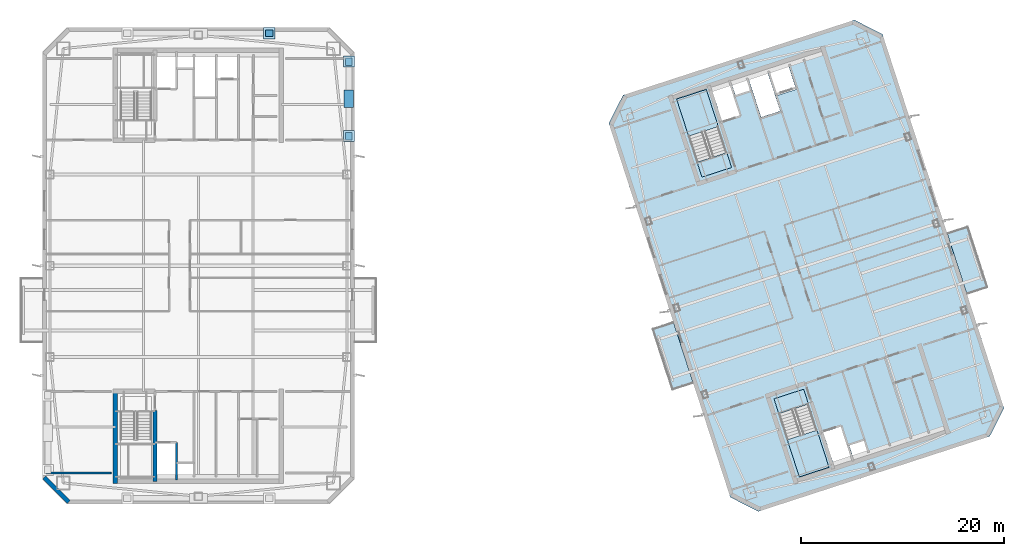
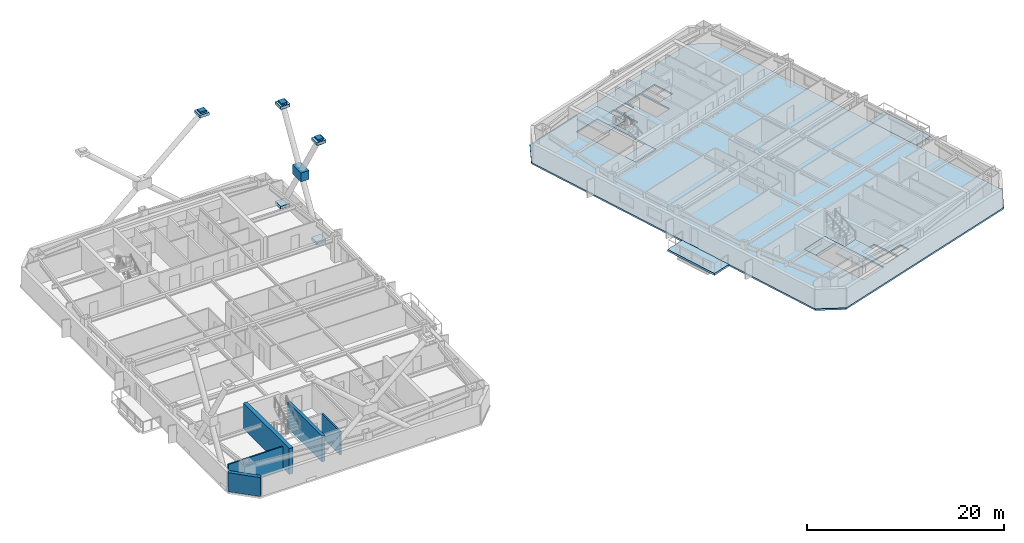
# One storey, part 5 of 18: 9 plates, 7 slabs, 5 walls, 2 elements without a shape of their own.
"""IFC4 building model written with IfcOpenShell, lengths in metres."""

from ifc_helpers import new_model, si_unit, direction, frame, frame_2d, origin, origin_2d, place, context, subcontext, project, spatial, polyline, rectangle, outline, extrude, material, layer, layer_set, type_object, element, aggregate, save


model = new_model("IFC4")

# Units and contexts
model_context = context("Model", 3, precision=1e-05, world=origin(), true_north=direction((0.0, 1.0)))
body_context = subcontext(model_context, "Body", "Model", "MODEL_VIEW")
ifc_project = project(units=[si_unit("LENGTHUNIT", "METRE"), si_unit("AREAUNIT", "SQUARE_METRE"), si_unit("VOLUMEUNIT", "CUBIC_METRE"), si_unit("PLANEANGLEUNIT", "RADIAN"), si_unit("MASSUNIT", "GRAM", prefix="KILO")], contexts=[model_context])

# Site, building, storey
site_placement = place(None, origin())
site = spatial("IfcSite", under=ifc_project, at=site_placement, CompositionType="ELEMENT")
building_placement = place(site_placement, origin())
building = spatial("IfcBuilding", under=site, at=building_placement, Name="Qiaolan Cultural Towers", CompositionType="ELEMENT")
storey_placement = place(building_placement, frame((0.0, 0.0, 237.60009765625)))
storey = spatial("IfcBuildingStorey", under=building, at=storey_placement, Name="L64", CompositionType="ELEMENT", Elevation=237.60009765625)

# Plates
ifc_material_1 = material(Name="Steel Q355B", Category="steel")
ifc_layer_1 = layer(ifc_material_1, 0.035888671875)
ifc_layer_set_1 = layer_set([ifc_layer_1], Name="Steel Q355B")
plate_type_1 = type_object("IfcPlateType", Name="PL-CONN-36", PredefinedType="USERDEFINED", material=ifc_layer_set_1)
for number, where, z_axis, x_axis, name in (
    (1, (44.85009765625, 54.14990234375, 12.1298828125), (0.0, 0.0, 1.0), (0.0, 1.0, 0.0), "L64 Brace End Connection Gusset Plate GP-02-0382"),
    (2, (44.85009765625, 46.800048828125, 12.1298828125), (0.0, 0.0, 1.0), (0.0, 1.0, 0.0), "L64 Brace End Connection Gusset Plate GP-02-0383"),
    (3, (37.0, 56.949951171875, 12.1298828125), (0.0, 0.0, 1.0), (1.0, 0.0, 0.0), "L64 Brace End Connection Gusset Plate GP-02-0386"),
):
    element("IfcPlate", number, at=place(storey_placement, frame(where, z_axis=z_axis, x_axis=x_axis)), inside=storey, type_object=plate_type_1, Name=name, ObjectType="GUSSET_PLATE", PredefinedType="USERDEFINED", context=body_context, shape_type="SweptSolid", body=[
        extrude(rectangle(XDim=0.739990234375, YDim=0.6201171875, at=origin_2d()), origin(), (0.0, 0.0, 1.0), 0.739990234375),
    ])
ifc_material_2 = material(Name="Steel Q355B", Category="steel")
ifc_layer_2 = layer(ifc_material_2, 0.030029296875)
ifc_layer_set_2 = layer_set([ifc_layer_2], Name="Steel Q355B")
plate_type_2 = type_object("IfcPlateType", Name="PL-ENDCAP-30", PredefinedType="USERDEFINED", material=ifc_layer_set_2)
for number, where, z_axis, x_axis, name in (
    (4, (44.85009765625, 46.800048828125, -0.025146484375), (0.0, 0.0, 1.0), (0.0, 1.0, 0.0), "Hollow Brace End Seal Cap Plate CP-01"),
    (5, (44.85009765625, 54.14990234375, -0.025146484375), (0.0, 0.0, 1.0), (0.0, 1.0, 0.0), "Hollow Brace End Seal Cap Plate CP-01"),
    (6, (44.85009765625, 46.800048828125, 12.324951171875), (0.0, 0.0, 1.0), (0.0, 1.0, 0.0), "Hollow Brace End Seal Cap Plate CP-01"),
    (7, (44.85009765625, 54.14990234375, 12.324951171875), (0.0, 0.0, 1.0), (0.0, 1.0, 0.0), "Hollow Brace End Seal Cap Plate CP-01"),
    (8, (37.0, 56.949951171875, 12.324951171875), (0.0, 0.0, 1.0), (1.0, 0.0, 0.0), "Hollow Brace End Seal Cap Plate CP-01"),
):
    element("IfcPlate", number, at=place(storey_placement, frame(where, z_axis=z_axis, x_axis=x_axis)), inside=storey, type_object=plate_type_2, Name=name, ObjectType="BASE_PLATE", PredefinedType="USERDEFINED", context=body_context, shape_type="SweptSolid", body=[
        extrude(rectangle(XDim=1.10009765625, YDim=1.10009765625, at=origin_2d()), origin(), (0.0, 0.0, 1.0), 0.35009765625),
    ])
ifc_material_3 = material(Name="Steel Q390GJB", Category="steel")
ifc_layer_3 = layer(ifc_material_3, 0.0458984375)
ifc_layer_set_3 = layer_set([ifc_layer_3], Name="Steel Q390GJB")
plate_type_3 = type_object("IfcPlateType", Name="PL-NODE-ND11", PredefinedType="USERDEFINED", material=ifc_layer_set_3)
plate_placement = place(storey_placement, frame((44.85009765625, 50.47509765625, 5.77490234375), z_axis=(0.0, 0.0, 1.0), x_axis=(0.0, 1.0, 0.0)))
element("IfcPlate", 9, at=plate_placement, inside=storey, type_object=plate_type_3, Name="Perimeter Frame Gusset Node Assembly ND-11", ObjectType="GUSSET_PLATE", PredefinedType="USERDEFINED", context=body_context, shape_type="SweptSolid", body=[
    extrude(rectangle(XDim=1.760009765625, YDim=0.9599609375, at=origin_2d()), origin(), (0.0, 0.0, 1.0), 1.10009765625),
])

# Slabs
ifc_material_4 = material(Name="Concrete C45", Category="concrete")
ifc_layer_4 = layer(ifc_material_4, 0.239990234375)
ifc_layer_set_4 = layer_set([ifc_layer_4], Name="Concrete C45")
slab_type_1 = type_object("IfcSlabType", Name="SL-BAL-240", PredefinedType="FLOOR", material=ifc_layer_set_4)
slab_1_placement = place(storey_placement, frame((0.0, 0.0, -0.239990234375)))
element("IfcSlab", 10, at=slab_1_placement, inside=storey, type_object=slab_type_1, Name="L64 T2 Planted Tree Balcony W", PredefinedType="FLOOR", context=body_context, shape_type="SweptSolid", body=[
    extrude(outline(polyline([(76.751220703125, 21.7041015625), (78.843505859375, 22.384033203125), (76.86572265625, 28.470703125), (74.7734375, 27.790771484375), (76.751220703125, 21.7041015625)])), origin(), (0.0, 0.0, 1.0), 0.239990234375),
])
slab_2_placement = place(storey_placement, frame((0.0, 0.0, -0.239990234375)))
element("IfcSlab", 11, at=slab_2_placement, inside=storey, type_object=slab_type_1, Name="L64 T2 Planted Tree Balcony E", PredefinedType="FLOOR", context=body_context, shape_type="SweptSolid", body=[
    extrude(outline(polyline([(105.853515625, 31.159912109375), (107.94580078125, 31.83984375), (105.96826171875, 37.926513671875), (103.875732421875, 37.246826171875), (105.853515625, 31.159912109375)])), origin(), (0.0, 0.0, 1.0), 0.239990234375),
])
ifc_material_5 = material(Name="Concrete C45", Category="concrete")
ifc_layer_5 = layer(ifc_material_5, 0.199951171875)
ifc_layer_set_5 = layer_set([ifc_layer_5], Name="Concrete C45")
slab_type_2 = type_object("IfcSlabType", Name="SL-HI-200", PredefinedType="FLOOR", material=ifc_layer_set_5)
slab_3_placement = place(storey_placement, frame((0.0, 0.0, -0.2001953125)))
element("IfcSlab", 12, at=slab_3_placement, inside=storey, type_object=slab_type_2, Name="L64 East Tower Floor Slab", PredefinedType="FLOOR", context=body_context, shape_type="SweptSolid", body=[
    extrude(outline(polyline([(85.26220703125, 9.7490234375), (108.08740234375, 17.165283203125), (109.5, 19.9375), (97.510009765625, 56.838623046875), (94.73779296875, 58.2509765625), (71.91259765625, 50.834716796875), (70.5, 48.0625), (82.489990234375, 11.161376953125), (85.26220703125, 9.7490234375)]), holes=[polyline([(86.80126953125, 20.868896484375), (89.30419921875, 13.165283203125), (92.2333984375, 14.116943359375), (89.73046875, 21.820556640625), (86.80126953125, 20.868896484375)]), polyline([(82.623046875, 43.69482421875), (80.1201171875, 51.3984375), (77.190673828125, 50.44677734375), (79.69384765625, 42.7431640625), (82.623046875, 43.69482421875)]), polyline([(92.666259765625, 14.468017578125), (94.42578125, 15.03955078125), (93.42138671875, 18.130615234375), (91.661865234375, 17.558837890625), (92.666259765625, 14.468017578125)]), polyline([(94.5908203125, 15.14599609375), (96.027099609375, 15.612548828125), (95.66552734375, 16.725341796875), (94.2294921875, 16.258544921875), (94.5908203125, 15.14599609375)]), polyline([(81.6806640625, 48.278076171875), (83.440185546875, 48.849609375), (82.435791015625, 51.940673828125), (80.67626953125, 51.368896484375), (81.6806640625, 48.278076171875)]), polyline([(82.993408203125, 50.839111328125), (84.4296875, 51.3056640625), (84.068115234375, 52.41845703125), (82.632080078125, 51.95166015625), (82.993408203125, 50.839111328125)]), polyline([(87.1455078125, 50.810791015625), (88.990478515625, 51.41015625), (88.22412109375, 53.768798828125), (86.379150390625, 53.169189453125), (87.1455078125, 50.810791015625)]), polyline([(85.5322265625, 48.65673828125), (87.415283203125, 49.2685546875), (86.169921875, 53.101318359375), (84.286865234375, 52.489501953125), (85.5322265625, 48.65673828125)])]), origin(), (0.0, 0.0, 1.0), 0.2001953125),
])

# Stair, slab
ifc_material_6 = material(Name="Concrete C45", Category="concrete")
stair_type = type_object("IfcStairType", Name="STR-CORE-1500", PredefinedType="HALF_TURN_STAIR", material=ifc_material_6)
stair_1_placement = place(storey_placement, origin())
stair_1 = element("IfcStair", 13, at=stair_1_placement, inside=storey, type_object=stair_type, Name="L64 Smokeproof Exit Stair ST-E1", PredefinedType="HALF_TURN_STAIR")
ifc_material_7 = material(Name="Concrete C45", Category="concrete")
ifc_layer_6 = layer(ifc_material_7, 0.199951171875)
ifc_layer_set_6 = layer_set([ifc_layer_6], Name="Concrete C45")
slab_type_3 = type_object("IfcSlabType", Name="SL-STAIR-LAND", PredefinedType="LANDING", material=ifc_layer_set_6)
slab_4_placement = place(storey_placement, frame((0.0, 0.0, 1.39990234375)))
slab_4 = element("IfcSlab", 14, at=slab_4_placement, type_object=slab_type_3, Name="ST-E1 landing 1", PredefinedType="LANDING", context=body_context, shape_type="SweptSolid", body=[
    extrude(outline(polyline([(88.114013671875, 16.828125), (89.30419921875, 13.165283203125), (92.2333984375, 14.116943359375), (91.04345703125, 17.77978515625), (88.114013671875, 16.828125)])), origin(), (0.0, 0.0, 1.0), 0.199951171875),
])
aggregate(stair_1, [slab_4])

stair_2_placement = place(storey_placement, origin())
stair_2 = element("IfcStair", 15, at=stair_2_placement, inside=storey, type_object=stair_type, Name="L64 Smokeproof Exit Stair ST-E2", PredefinedType="HALF_TURN_STAIR")
slab_5_placement = place(storey_placement, frame((0.0, 0.0, 1.39990234375)))
slab_5 = element("IfcSlab", 16, at=slab_5_placement, type_object=slab_type_3, Name="ST-E2 landing 1", PredefinedType="LANDING", context=body_context, shape_type="SweptSolid", body=[
    extrude(outline(polyline([(81.31005859375, 47.735595703125), (80.1201171875, 51.3984375), (77.190673828125, 50.44677734375), (78.380859375, 46.783935546875), (81.31005859375, 47.735595703125)])), origin(), (0.0, 0.0, 1.0), 0.199951171875),
])
aggregate(stair_2, [slab_5])

# Slabs
ifc_material_8 = material(Name="Concrete C40", Category="concrete")
ifc_layer_7 = layer(ifc_material_8, 0.360107421875)
ifc_layer_set_7 = layer_set([ifc_layer_7], Name="Concrete C40")
slab_type_4 = type_object("IfcSlabType", Name="SL-STFLR-360", PredefinedType="LANDING", material=ifc_layer_set_7)
slab_6_placement = place(storey_placement, frame((0.0, 0.0, -0.360107421875)))
element("IfcSlab", 17, at=slab_6_placement, inside=storey, type_object=slab_type_4, Name="L64 ST-E1 Stair Floor Landing Slab", PredefinedType="LANDING", context=body_context, shape_type="SweptSolid", body=[
    extrude(outline(polyline([(86.8037109375, 20.867431640625), (87.282470703125, 19.39404296875), (90.2080078125, 20.3447265625), (89.729248046875, 21.818115234375), (86.8037109375, 20.867431640625)])), origin(), (0.0, 0.0, 1.0), 0.360107421875),
])
slab_7_placement = place(storey_placement, frame((0.0, 0.0, -0.360107421875)))
element("IfcSlab", 18, at=slab_7_placement, inside=storey, type_object=slab_type_4, Name="L64 ST-E2 Stair Floor Landing Slab", PredefinedType="LANDING", context=body_context, shape_type="SweptSolid", body=[
    extrude(outline(polyline([(82.62060546875, 43.6962890625), (82.141845703125, 45.169677734375), (79.21630859375, 44.21923828125), (79.695068359375, 42.74560546875), (82.62060546875, 43.6962890625)])), origin(), (0.0, 0.0, 1.0), 0.360107421875),
])

# Walls
ifc_material_9 = material(Name="Concrete C50", Category="concrete")
ifc_layer_8 = layer(ifc_material_9, 0.35009765625)
ifc_layer_set_8 = layer_set([ifc_layer_8], Name="Concrete C50")
wall_type_1 = type_object("IfcWallType", Name="WL-CORE-350", PredefinedType="SHEAR", material=ifc_layer_set_8)
wall_1_placement = place(storey_placement, frame((25.719970703125, 19.699951171875, 0.0), z_axis=(0.0, 0.0, 1.0), x_axis=(0.0, -1.0, 0.0)))
element("IfcWall", 19, at=wall_1_placement, inside=storey, type_object=wall_type_1, Name="L64 T1-CS Stair Core Dividing Web", PredefinedType="SHEAR", context=body_context, shape_type="SweptSolid", body=[
    extrude(rectangle(XDim=6.97998046875, YDim=0.35009765625, at=frame_2d((3.489990234375, 0.0))), origin(), (0.0, 0.0, 1.0), 3.199951171875),
])
ifc_material_10 = material(Name="Concrete C50", Category="concrete")
ifc_layer_9 = layer(ifc_material_10, 0.449951171875)
ifc_layer_set_9 = layer_set([ifc_layer_9], Name="Concrete C50")
wall_type_2 = type_object("IfcWallType", Name="WL-CORE-450", PredefinedType="SHEAR", material=ifc_layer_set_9)
wall_2_placement = place(storey_placement, frame((21.800048828125, 21.824951171875, 0.0), z_axis=(0.0, 0.0, 1.0), x_axis=(0.0, -1.0, 0.0)))
element("IfcWall", 20, at=wall_2_placement, inside=storey, type_object=wall_type_2, Name="L64 T1-CS West Core Shear Wall", PredefinedType="SHEAR", context=body_context, shape_type="SweptSolid", body=[
    extrude(rectangle(XDim=9.329833984375, YDim=0.449951171875, at=frame_2d((4.6650390625, 0.0))), origin(), (0.0, 0.0, 1.0), 3.199951171875),
])
ifc_material_11 = material(Name="Precast Concrete C50 Honed Stone Pier", Category="masonry")
ifc_layer_10 = layer(ifc_material_11, 0.39990234375)
ifc_layer_set_10 = layer_set([ifc_layer_10], Name="Precast Concrete C50 Honed Stone Pier")
wall_type_3 = type_object("IfcWallType", Name="WL-EXT-PIER-400", PredefinedType="SOLIDWALL", material=ifc_layer_set_10)
wall_3_placement = place(storey_placement, frame((17.199951171875, 10.699951171875, 0.0), z_axis=(0.0, 0.0, 1.0), x_axis=(-0.707070815327, 0.707142745217, 0.0)))
element("IfcWall", 21, at=wall_3_placement, inside=storey, type_object=wall_type_3, Name="L64 West Tower Precast Pier Facade Wall F8", PredefinedType="SOLIDWALL", context=body_context, shape_type="SweptSolid", body=[
    extrude(rectangle(XDim=3.39404296875, YDim=0.39990234375, at=frame_2d((1.697021484375, 0.0))), origin(), (0.0, 0.0, 1.0), 2.35986328125),
])
ifc_material_12 = material(Name="Concrete C35 Fire Wall", Category="concrete")
ifc_layer_11 = layer(ifc_material_12, 0.199951171875)
ifc_layer_set_11 = layer_set([ifc_layer_11], Name="Concrete C35 Fire Wall")
wall_type_4 = type_object("IfcWallType", Name="WL-FIRE-200", PredefinedType="PARTITIONING", material=ifc_layer_set_11)
wall_4_placement = place(storey_placement, frame((27.820068359375, 16.550048828125, 0.0), z_axis=(0.0, 0.0, 1.0), x_axis=(0.0, -1.0, 0.0)))
element("IfcWall", 22, at=wall_4_placement, inside=storey, type_object=wall_type_4, Name="L64 T1-CS Firefighting Hoistway East Wall", PredefinedType="PARTITIONING", context=body_context, shape_type="SweptSolid", body=[
    extrude(rectangle(XDim=3.699951171875, YDim=0.199951171875, at=frame_2d((1.85009765625, 0.0))), origin(), (0.0, 0.0, 1.0), 2.9248046875),
])
ifc_material_13 = material(Name="Autoclaved Aerated Concrete Block B06", Category="concrete")
ifc_layer_12 = layer(ifc_material_13, 0.14990234375)
ifc_layer_set_12 = layer_set([ifc_layer_12], Name="Autoclaved Aerated Concrete Block B06")
wall_type_5 = type_object("IfcWallType", Name="WL-PART-150", PredefinedType="PARTITIONING", material=ifc_layer_set_12)
wall_5_placement = place(storey_placement, frame((15.0, 13.550048828125, 0.0), z_axis=(0.0, 0.0, 1.0), x_axis=(1.0, 0.0, 0.0)))
element("IfcWall", 23, at=wall_5_placement, inside=storey, type_object=wall_type_5, Name="L64 T1 Flank Wall FLK-SW", PredefinedType="PARTITIONING", context=body_context, shape_type="SweptSolid", body=[
    extrude(rectangle(XDim=6.39990234375, YDim=0.14990234375, at=frame_2d((3.199951171875, 0.0))), origin(), (0.0, 0.0, 1.0), 2.9248046875),
])

save(model, "model.ifc")
